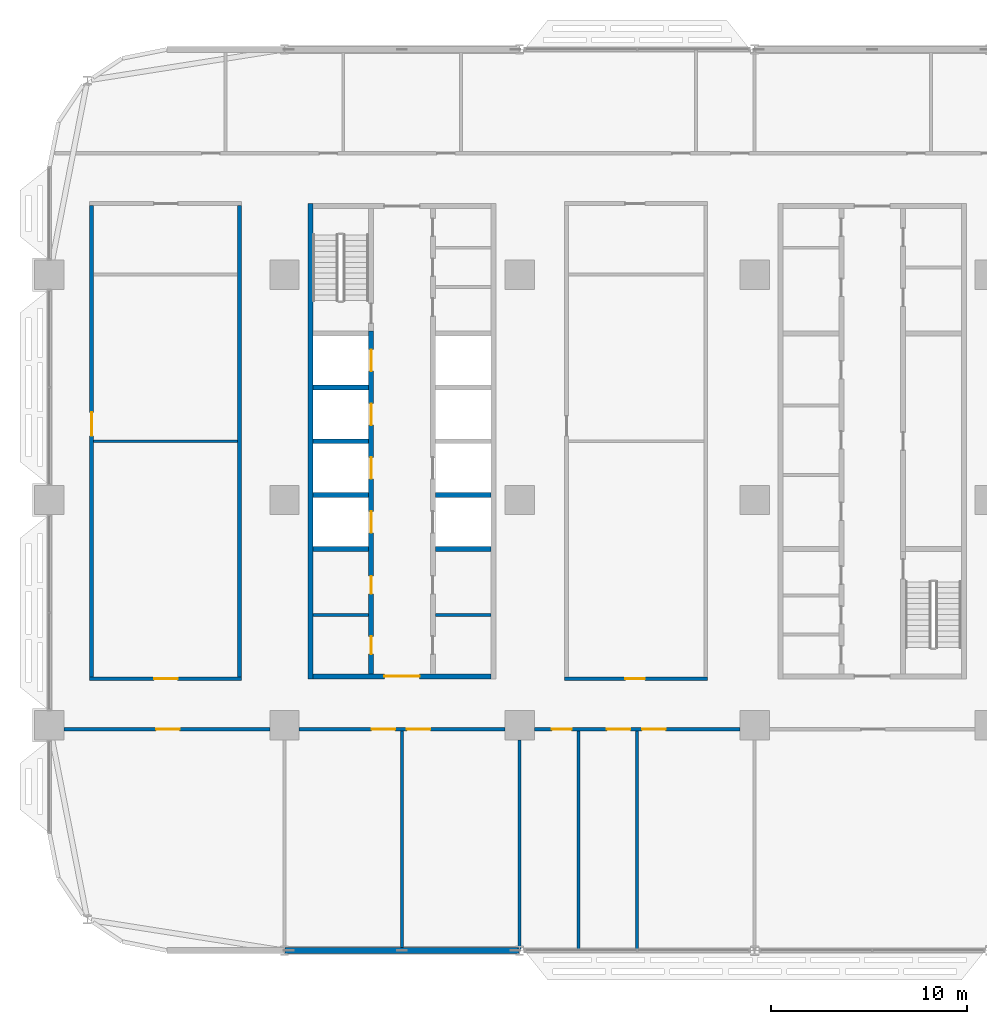
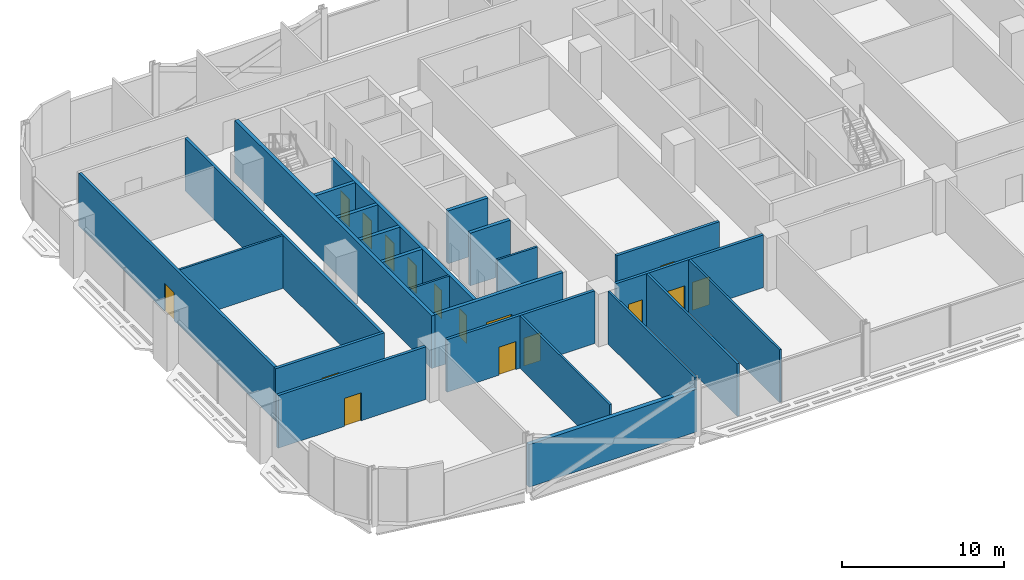
# One storey, part 12 of 30: 24 walls, 16 doors, 16 openings.
"""IFC4 building model written with IfcOpenShell, lengths in metres."""

from ifc_helpers import new_model, si_unit, direction, frame, frame_2d, origin, place, context, subcontext, project, spatial, rectangle, extrude, material, layer, layer_set, type_object, element, fill, save


model = new_model("IFC4")

# Units and contexts
model_context = context("Model", 3, precision=1e-05, world=origin(), true_north=direction((0.0, 1.0)))
body_context = subcontext(model_context, "Body", "Model", "MODEL_VIEW")
ifc_project = project(units=[si_unit("LENGTHUNIT", "METRE"), si_unit("AREAUNIT", "SQUARE_METRE"), si_unit("VOLUMEUNIT", "CUBIC_METRE"), si_unit("PLANEANGLEUNIT", "RADIAN"), si_unit("MASSUNIT", "GRAM", prefix="KILO")], contexts=[model_context])

# Site, building, storey
site_placement = place(None, origin())
site = spatial("IfcSite", under=ifc_project, at=site_placement, CompositionType="ELEMENT")
building_placement = place(site_placement, origin())
building = spatial("IfcBuilding", under=site, at=building_placement, Name="Mahtab Terrace Research Tower", CompositionType="ELEMENT")
storey_placement = place(building_placement, frame((0.0, 0.0, 50.300048828125)))
storey = spatial("IfcBuildingStorey", under=building, at=storey_placement, Name="L11", CompositionType="ELEMENT", Elevation=50.300048828125)

# Walls
ifc_material_1 = material(Name="Gypsum board partition")
ifc_layer_1 = layer(ifc_material_1, 0.14990234375)
ifc_layer_set_1 = layer_set([ifc_layer_1], Name="Core partition 150")
wall_type_1 = type_object("IfcWallType", Name="Core partition 150", PredefinedType="PARTITIONING", material=ifc_layer_set_1)
for number, where, z_axis, x_axis, name in (
    (1, (-28.550048828125, -5.875, 0.0), (0.0, 0.0, 1.0), (1.0, 0.0, 0.0), "Core wall A pWS-888"),
    (2, (-22.300048828125, -5.875, 0.0), (0.0, 0.0, 1.0), (1.0, 0.0, 0.0), "Core wall A pES-888"),
):
    element("IfcWall", number, at=place(storey_placement, frame(where, z_axis=z_axis, x_axis=x_axis)), inside=storey, type_object=wall_type_1, Name=name, PredefinedType="PARTITIONING", context=body_context, shape_type="SweptSolid", body=[
        extrude(rectangle(XDim=2.85009765625, YDim=0.14990234375, at=frame_2d((1.425048828125, 0.0))), origin(), (0.0, 0.0, 1.0), 3.9599609375),
    ])
ifc_material_2 = material(Name="Concrete C70/85", Category="concrete")
ifc_layer_2 = layer(ifc_material_2, 0.25)
ifc_layer_set_2 = layer_set([ifc_layer_2], Name="Core wall 250")
wall_type_2 = type_object("IfcWallType", Name="Core wall 250", PredefinedType="SOLIDWALL", material=ifc_layer_set_2)
wall_1_placement = place(storey_placement, frame((-28.675048828125, 15.125, 0.0), z_axis=(0.0, 0.0, 1.0), x_axis=(0.0, -1.0, 0.0)))
element("IfcWall", 3, at=wall_1_placement, inside=storey, type_object=wall_type_2, Name="Core wall A outerW", PredefinedType="SOLIDWALL", context=body_context, shape_type="SweptSolid", body=[
    extrude(rectangle(XDim=24.25, YDim=0.25, at=frame_2d((12.125, 0.0))), origin(), (0.0, 0.0, 1.0), 3.9599609375),
])

# Wall, opening, door
wall_2_placement = place(storey_placement, frame((-19.449951171875, -9.0, 0.0), z_axis=(0.0, 0.0, 1.0), x_axis=(-1.0, 0.0, 0.0)))
wall_2 = element("IfcWall", 4, at=wall_2_placement, inside=storey, type_object=wall_type_2, Name="Core wall A endS", PredefinedType="SOLIDWALL", context=body_context, shape_type="SweptSolid", body=[
    extrude(rectangle(XDim=9.10009765625, YDim=0.25, at=frame_2d((4.550048828125, 0.0))), origin(), (0.0, 0.0, 1.0), 3.9599609375),
])
opening_1_placement = place(wall_2_placement, frame((3.64990234375, 0.0, 0.0)))
opening_1 = element("IfcOpeningElement", 5, at=opening_1_placement, cuts=wall_2, Name="Opening A-S1", PredefinedType="OPENING", context=body_context, shape_type="SweptSolid", body=[
    extrude(rectangle(XDim=1.800048828125, YDim=2.10009765625, at=frame_2d((0.89990234375, 1.050048828125))), frame((0.0, 0.135009765625, 0.0), z_axis=(0.0, -1.0, 0.0), x_axis=(1.0, 0.0, 0.0)), (0.0, 0.0, 1.0), 0.27001953125),
])
ifc_material_3 = material(Name="Steel fire door", Category="steel")
door_type_1 = type_object("IfcDoorType", Name="Lobby double door 1800x2100 1 HR", OperationType="DOUBLE_DOOR_SINGLE_SWING", PredefinedType="DOOR", material=ifc_material_3)
door_1_placement = place(opening_1_placement, origin())
door_1 = element("IfcDoor", 6, at=door_1_placement, inside=storey, type_object=door_type_1, Name="Core entrance door A S", OperationType="DOUBLE_DOOR_SINGLE_SWING", OverallHeight=2.10009765625, OverallWidth=1.800048828125, PredefinedType="DOOR", context=body_context, shape_type="SweptSolid", body=[
    extrude(rectangle(XDim=1.800048828125, YDim=2.10009765625, at=frame_2d((0.89990234375, 1.050048828125))), frame((0.0, 0.02490234375, 0.0), z_axis=(0.0, -1.0, 0.0), x_axis=(1.0, 0.0, 0.0)), (0.0, 0.0, 1.0), 0.050048828125),
])
fill(opening_1, door_1)

# Wall, openings, doors
wall_3_placement = place(storey_placement, frame((-25.574951171875, -8.875, 0.0), z_axis=(0.0, 0.0, 1.0), x_axis=(0.0, 1.0, 0.0)))
wall_3 = element("IfcWall", 7, at=wall_3_placement, inside=storey, type_object=wall_type_2, Name="Core wall A innerWSL", PredefinedType="SOLIDWALL", context=body_context, shape_type="SweptSolid", body=[
    extrude(rectangle(XDim=17.5, YDim=0.25, at=frame_2d((8.75, 0.0))), origin(), (0.0, 0.0, 1.0), 3.9599609375),
])
opening_2_placement = place(wall_3_placement, frame((7.199951171875, 0.0, 0.0)))
opening_2 = element("IfcOpeningElement", 8, at=opening_2_placement, cuts=wall_3, Name="Opening LD01-L11", PredefinedType="OPENING", context=body_context, shape_type="SweptSolid", body=[
    extrude(rectangle(XDim=1.10009765625, YDim=2.10009765625, at=frame_2d((0.550048828125, 1.050048828125))), frame((0.0, 0.135009765625, 0.0), z_axis=(0.0, -1.0, 0.0), x_axis=(1.0, 0.0, 0.0)), (0.0, 0.0, 1.0), 0.27001953125),
])
opening_3_placement = place(wall_3_placement, frame((9.949951171875, 0.0, 0.0)))
opening_3 = element("IfcOpeningElement", 9, at=opening_3_placement, cuts=wall_3, Name="Opening LD02-L11", PredefinedType="OPENING", context=body_context, shape_type="SweptSolid", body=[
    extrude(rectangle(XDim=1.10009765625, YDim=2.10009765625, at=frame_2d((0.550048828125, 1.050048828125))), frame((0.0, 0.135009765625, 0.0), z_axis=(0.0, -1.0, 0.0), x_axis=(1.0, 0.0, 0.0)), (0.0, 0.0, 1.0), 0.27001953125),
])
opening_4_placement = place(wall_3_placement, frame((12.699951171875, 0.0, 0.0)))
opening_4 = element("IfcOpeningElement", 10, at=opening_4_placement, cuts=wall_3, Name="Opening LD03-L11", PredefinedType="OPENING", context=body_context, shape_type="SweptSolid", body=[
    extrude(rectangle(XDim=1.10009765625, YDim=2.10009765625, at=frame_2d((0.550048828125, 1.050048828125))), frame((0.0, 0.135009765625, 0.0), z_axis=(0.0, -1.0, 0.0), x_axis=(1.0, 0.0, 0.0)), (0.0, 0.0, 1.0), 0.27001953125),
])
opening_5_placement = place(wall_3_placement, frame((15.449951171875, 0.0, 0.0)))
opening_5 = element("IfcOpeningElement", 11, at=opening_5_placement, cuts=wall_3, Name="Opening LD04-L11", PredefinedType="OPENING", context=body_context, shape_type="SweptSolid", body=[
    extrude(rectangle(XDim=1.10009765625, YDim=2.10009765625, at=frame_2d((0.550048828125, 1.050048828125))), frame((0.0, 0.135009765625, 0.0), z_axis=(0.0, -1.0, 0.0), x_axis=(1.0, 0.0, 0.0)), (0.0, 0.0, 1.0), 0.27001953125),
])
opening_6_placement = place(wall_3_placement, frame((1.012451171875, 0.0, 0.0)))
opening_6 = element("IfcOpeningElement", 12, at=opening_6_placement, cuts=wall_3, Name="Opening A-R1", PredefinedType="OPENING", context=body_context, shape_type="SweptSolid", body=[
    extrude(rectangle(XDim=0.89990234375, YDim=2.10009765625, at=frame_2d((0.449951171875, 1.050048828125))), frame((0.0, 0.135009765625, 0.0), z_axis=(0.0, -1.0, 0.0), x_axis=(1.0, 0.0, 0.0)), (0.0, 0.0, 1.0), 0.27001953125),
])
opening_7_placement = place(wall_3_placement, frame((4.08740234375, 0.0, 0.0)))
opening_7 = element("IfcOpeningElement", 13, at=opening_7_placement, cuts=wall_3, Name="Opening A-R2", PredefinedType="OPENING", context=body_context, shape_type="SweptSolid", body=[
    extrude(rectangle(XDim=0.89990234375, YDim=2.10009765625, at=frame_2d((0.449951171875, 1.050048828125))), frame((0.0, 0.135009765625, 0.0), z_axis=(0.0, -1.0, 0.0), x_axis=(1.0, 0.0, 0.0)), (0.0, 0.0, 1.0), 0.27001953125),
])
ifc_material_4 = material(Name="Stainless steel AISI 304", Category="steel")
door_type_2 = type_object("IfcDoorType", Name="Landing door 1100x2100", OperationType="DOUBLE_DOOR_SLIDING", PredefinedType="DOOR", material=ifc_material_4)
door_2_placement = place(opening_2_placement, origin())
door_2 = element("IfcDoor", 14, at=door_2_placement, inside=storey, type_object=door_type_2, Name="Landing door LR1 L11", OperationType="DOUBLE_DOOR_SLIDING", OverallHeight=2.10009765625, OverallWidth=1.10009765625, PredefinedType="DOOR", context=body_context, shape_type="SweptSolid", body=[
    extrude(rectangle(XDim=1.10009765625, YDim=2.10009765625, at=frame_2d((0.550048828125, 1.050048828125))), frame((0.0, 0.02490234375, 0.0), z_axis=(0.0, -1.0, 0.0), x_axis=(1.0, 0.0, 0.0)), (0.0, 0.0, 1.0), 0.050048828125),
])
fill(opening_2, door_2)
door_3_placement = place(opening_3_placement, origin())
door_3 = element("IfcDoor", 15, at=door_3_placement, inside=storey, type_object=door_type_2, Name="Landing door LR2 L11", OperationType="DOUBLE_DOOR_SLIDING", OverallHeight=2.10009765625, OverallWidth=1.10009765625, PredefinedType="DOOR", context=body_context, shape_type="SweptSolid", body=[
    extrude(rectangle(XDim=1.10009765625, YDim=2.10009765625, at=frame_2d((0.550048828125, 1.050048828125))), frame((0.0, 0.02490234375, 0.0), z_axis=(0.0, -1.0, 0.0), x_axis=(1.0, 0.0, 0.0)), (0.0, 0.0, 1.0), 0.050048828125),
])
fill(opening_3, door_3)
door_4_placement = place(opening_4_placement, origin())
door_4 = element("IfcDoor", 16, at=door_4_placement, inside=storey, type_object=door_type_2, Name="Landing door LR3 L11", OperationType="DOUBLE_DOOR_SLIDING", OverallHeight=2.10009765625, OverallWidth=1.10009765625, PredefinedType="DOOR", context=body_context, shape_type="SweptSolid", body=[
    extrude(rectangle(XDim=1.10009765625, YDim=2.10009765625, at=frame_2d((0.550048828125, 1.050048828125))), frame((0.0, 0.02490234375, 0.0), z_axis=(0.0, -1.0, 0.0), x_axis=(1.0, 0.0, 0.0)), (0.0, 0.0, 1.0), 0.050048828125),
])
fill(opening_4, door_4)
door_5_placement = place(opening_5_placement, origin())
door_5 = element("IfcDoor", 17, at=door_5_placement, inside=storey, type_object=door_type_2, Name="Landing door LR4 L11", OperationType="DOUBLE_DOOR_SLIDING", OverallHeight=2.10009765625, OverallWidth=1.10009765625, PredefinedType="DOOR", context=body_context, shape_type="SweptSolid", body=[
    extrude(rectangle(XDim=1.10009765625, YDim=2.10009765625, at=frame_2d((0.550048828125, 1.050048828125))), frame((0.0, 0.02490234375, 0.0), z_axis=(0.0, -1.0, 0.0), x_axis=(1.0, 0.0, 0.0)), (0.0, 0.0, 1.0), 0.050048828125),
])
fill(opening_5, door_5)
door_type_3 = type_object("IfcDoorType", Name="Room door 900x2100 1 HR", OperationType="NOTDEFINED", PredefinedType="DOOR", material=ifc_material_3)
door_6_placement = place(opening_6_placement, origin())
door_6 = element("IfcDoor", 18, at=door_6_placement, inside=storey, type_object=door_type_3, Name="Staff WC door", OperationType="SINGLE_SWING_LEFT", OverallHeight=2.10009765625, OverallWidth=0.89990234375, PredefinedType="DOOR", context=body_context, shape_type="SweptSolid", body=[
    extrude(rectangle(XDim=0.89990234375, YDim=2.10009765625, at=frame_2d((0.449951171875, 1.050048828125))), frame((0.0, 0.02490234375, 0.0), z_axis=(0.0, -1.0, 0.0), x_axis=(1.0, 0.0, 0.0)), (0.0, 0.0, 1.0), 0.050048828125),
])
fill(opening_6, door_6)
door_7_placement = place(opening_7_placement, origin())
door_7 = element("IfcDoor", 19, at=door_7_placement, inside=storey, type_object=door_type_3, Name="Accessible WC door", OperationType="SINGLE_SWING_RIGHT", OverallHeight=2.10009765625, OverallWidth=0.89990234375, PredefinedType="DOOR", context=body_context, shape_type="SweptSolid", body=[
    extrude(rectangle(XDim=0.89990234375, YDim=2.10009765625, at=frame_2d((0.449951171875, 1.050048828125))), frame((0.0, 0.02490234375, 0.0), z_axis=(0.0, -1.0, 0.0), x_axis=(1.0, 0.0, 0.0)), (0.0, 0.0, 1.0), 0.050048828125),
])
fill(opening_7, door_7)

# Walls
for number, where, z_axis, x_axis, name in (
    (20, (-28.550048828125, -2.5, 0.0), (0.0, 0.0, 1.0), (1.0, 0.0, 0.0), "Core wall A divW0"),
    (21, (-28.550048828125, 0.25, 0.0), (0.0, 0.0, 1.0), (1.0, 0.0, 0.0), "Core wall A divW1"),
    (22, (-28.550048828125, 3.0, 0.0), (0.0, 0.0, 1.0), (1.0, 0.0, 0.0), "Core wall A divW2"),
    (23, (-28.550048828125, 5.75, 0.0), (0.0, 0.0, 1.0), (1.0, 0.0, 0.0), "Core wall A divW3"),
    (24, (-22.300048828125, -2.5, 0.0), (0.0, 0.0, 1.0), (1.0, 0.0, 0.0), "Core wall A divE0"),
    (25, (-22.300048828125, 0.25, 0.0), (0.0, 0.0, 1.0), (1.0, 0.0, 0.0), "Core wall A divE1"),
):
    element("IfcWall", number, at=place(storey_placement, frame(where, z_axis=z_axis, x_axis=x_axis)), inside=storey, type_object=wall_type_2, Name=name, PredefinedType="SOLIDWALL", context=body_context, shape_type="SweptSolid", body=[
        extrude(rectangle(XDim=2.85009765625, YDim=0.25, at=frame_2d((1.425048828125, 0.0))), origin(), (0.0, 0.0, 1.0), 3.9599609375),
    ])
ifc_material_5 = material(Name="Black aluminium cladding panel", Category="aluminium")
ifc_layer_3 = layer(ifc_material_5, 0.300048828125)
ifc_layer_set_3 = layer_set([ifc_layer_3], Name="Opaque facade wall 300")
wall_type_3 = type_object("IfcWallType", Name="Opaque facade wall 300", PredefinedType="NOTDEFINED", material=ifc_layer_set_3)
wall_4_placement = place(storey_placement, frame((-29.97607421875, -23.0, 0.0), z_axis=(0.0, 0.0, 1.0), x_axis=(1.0, 0.0, 0.0)))
element("IfcWall", 26, at=wall_4_placement, inside=storey, type_object=wall_type_3, Name="Opaque facade wall L11 S24", PredefinedType="NOTDEFINED", context=body_context, shape_type="SweptSolid", body=[
    extrude(rectangle(XDim=11.9521484375, YDim=0.300048828125, at=frame_2d((5.97607421875, 0.0))), origin(), (0.0, 0.0, 1.0), 3.203125),
])

# Wall, opening, door
ifc_material_6 = material(Name="Gypsum board corridor wall on steel studs", Category="steel")
ifc_layer_4 = layer(ifc_material_6, 0.199951171875)
ifc_layer_set_4 = layer_set([ifc_layer_4], Name="WALL CORRIDOR 200")
wall_type_4 = type_object("IfcWallType", Name="WALL CORRIDOR 200", PredefinedType="PARTITIONING", material=ifc_layer_set_4)
wall_5_placement = place(storey_placement, frame((-41.25, -11.699951171875, 0.0), z_axis=(0.0, 0.0, 1.0), x_axis=(1.0, 0.0, 0.0)))
wall_5 = element("IfcWall", 27, at=wall_5_placement, inside=storey, type_object=wall_type_4, Name="L11-W001", PredefinedType="PARTITIONING", context=body_context, shape_type="SweptSolid", body=[
    extrude(rectangle(XDim=10.5, YDim=0.199951171875, at=frame_2d((5.25, 0.0))), origin(), (0.0, 0.0, 1.0), 3.9599609375),
])
opening_8_placement = place(wall_5_placement, frame((4.699951171875, 0.0, 0.0)))
opening_8 = element("IfcOpeningElement", 28, at=opening_8_placement, cuts=wall_5, Name="Opening L11-101", PredefinedType="OPENING", context=body_context, shape_type="SweptSolid", body=[
    extrude(rectangle(XDim=1.199951171875, YDim=2.10009765625, at=frame_2d((0.60009765625, 1.050048828125))), frame((0.0, 0.10986328125, 0.0), z_axis=(0.0, -1.0, 0.0), x_axis=(1.0, 0.0, 0.0)), (0.0, 0.0, 1.0), 0.219970703125),
])
ifc_material_7 = material(Name="Timber door leaf in steel frame", Category="steel")
door_type_4 = type_object("IfcDoorType", Name="DOOR 1200X2100 FD30S", OperationType="SINGLE_SWING_LEFT", PredefinedType="DOOR", material=ifc_material_7)
door_8_placement = place(opening_8_placement, origin())
door_8 = element("IfcDoor", 29, at=door_8_placement, inside=storey, type_object=door_type_4, Name="Door L11-101", OperationType="SINGLE_SWING_LEFT", OverallHeight=2.10009765625, OverallWidth=1.199951171875, PredefinedType="DOOR", context=body_context, shape_type="SweptSolid", body=[
    extrude(rectangle(XDim=1.199951171875, YDim=2.10009765625, at=frame_2d((0.60009765625, 1.050048828125))), frame((0.0, 0.02490234375, 0.0), z_axis=(0.0, -1.0, 0.0), x_axis=(1.0, 0.0, 0.0)), (0.0, 0.0, 1.0), 0.050048828125),
])
fill(opening_8, door_8)

# Wall, openings, doors
wall_6_placement = place(storey_placement, frame((-29.25, -11.699951171875, 0.0), z_axis=(0.0, 0.0, 1.0), x_axis=(1.0, 0.0, 0.0)))
wall_6 = element("IfcWall", 30, at=wall_6_placement, inside=storey, type_object=wall_type_4, Name="L11-W002", PredefinedType="PARTITIONING", context=body_context, shape_type="SweptSolid", body=[
    extrude(rectangle(XDim=10.5, YDim=0.199951171875, at=frame_2d((5.25, 0.0))), origin(), (0.0, 0.0, 1.0), 3.9599609375),
])
opening_9_placement = place(wall_6_placement, frame((3.699951171875, 0.0, 0.0)))
opening_9 = element("IfcOpeningElement", 31, at=opening_9_placement, cuts=wall_6, Name="Opening L11-102", PredefinedType="OPENING", context=body_context, shape_type="SweptSolid", body=[
    extrude(rectangle(XDim=1.199951171875, YDim=2.10009765625, at=frame_2d((0.60009765625, 1.050048828125))), frame((0.0, 0.10986328125, 0.0), z_axis=(0.0, -1.0, 0.0), x_axis=(1.0, 0.0, 0.0)), (0.0, 0.0, 1.0), 0.219970703125),
])
opening_10_placement = place(wall_6_placement, frame((5.5, 0.0, 0.0)))
opening_10 = element("IfcOpeningElement", 32, at=opening_10_placement, cuts=wall_6, Name="Opening L11-103", PredefinedType="OPENING", context=body_context, shape_type="SweptSolid", body=[
    extrude(rectangle(XDim=1.199951171875, YDim=2.10009765625, at=frame_2d((0.60009765625, 1.050048828125))), frame((0.0, 0.10986328125, 0.0), z_axis=(0.0, -1.0, 0.0), x_axis=(1.0, 0.0, 0.0)), (0.0, 0.0, 1.0), 0.219970703125),
])
door_9_placement = place(opening_9_placement, origin())
door_9 = element("IfcDoor", 33, at=door_9_placement, inside=storey, type_object=door_type_4, Name="Door L11-102", OperationType="SINGLE_SWING_RIGHT", OverallHeight=2.10009765625, OverallWidth=1.199951171875, PredefinedType="DOOR", context=body_context, shape_type="SweptSolid", body=[
    extrude(rectangle(XDim=1.199951171875, YDim=2.10009765625, at=frame_2d((0.60009765625, 1.050048828125))), frame((0.0, 0.02490234375, 0.0), z_axis=(0.0, -1.0, 0.0), x_axis=(1.0, 0.0, 0.0)), (0.0, 0.0, 1.0), 0.050048828125),
])
fill(opening_9, door_9)
door_10_placement = place(opening_10_placement, origin())
door_10 = element("IfcDoor", 34, at=door_10_placement, inside=storey, type_object=door_type_4, Name="Door L11-103", OperationType="SINGLE_SWING_LEFT", OverallHeight=2.10009765625, OverallWidth=1.199951171875, PredefinedType="DOOR", context=body_context, shape_type="SweptSolid", body=[
    extrude(rectangle(XDim=1.199951171875, YDim=2.10009765625, at=frame_2d((0.60009765625, 1.050048828125))), frame((0.0, 0.02490234375, 0.0), z_axis=(0.0, -1.0, 0.0), x_axis=(1.0, 0.0, 0.0)), (0.0, 0.0, 1.0), 0.050048828125),
])
fill(opening_10, door_10)

wall_7_placement = place(storey_placement, frame((-17.25, -11.699951171875, 0.0), z_axis=(0.0, 0.0, 1.0), x_axis=(1.0, 0.0, 0.0)))
wall_7 = element("IfcWall", 35, at=wall_7_placement, inside=storey, type_object=wall_type_4, Name="L11-W003", PredefinedType="PARTITIONING", context=body_context, shape_type="SweptSolid", body=[
    extrude(rectangle(XDim=10.5, YDim=0.199951171875, at=frame_2d((5.25, 0.0))), origin(), (0.0, 0.0, 1.0), 3.9599609375),
])
opening_11_placement = place(wall_7_placement, frame((0.89990234375, 0.0, 0.0)))
opening_11 = element("IfcOpeningElement", 36, at=opening_11_placement, cuts=wall_7, Name="Opening L11-104", PredefinedType="OPENING", context=body_context, shape_type="SweptSolid", body=[
    extrude(rectangle(XDim=1.0, YDim=2.10009765625, at=frame_2d((0.5, 1.050048828125))), frame((0.0, 0.10986328125, 0.0), z_axis=(0.0, -1.0, 0.0), x_axis=(1.0, 0.0, 0.0)), (0.0, 0.0, 1.0), 0.219970703125),
])
opening_12_placement = place(wall_7_placement, frame((3.699951171875, 0.0, 0.0)))
opening_12 = element("IfcOpeningElement", 37, at=opening_12_placement, cuts=wall_7, Name="Opening L11-105", PredefinedType="OPENING", context=body_context, shape_type="SweptSolid", body=[
    extrude(rectangle(XDim=1.199951171875, YDim=2.10009765625, at=frame_2d((0.60009765625, 1.050048828125))), frame((0.0, 0.10986328125, 0.0), z_axis=(0.0, -1.0, 0.0), x_axis=(1.0, 0.0, 0.0)), (0.0, 0.0, 1.0), 0.219970703125),
])
opening_13_placement = place(wall_7_placement, frame((5.5, 0.0, 0.0)))
opening_13 = element("IfcOpeningElement", 38, at=opening_13_placement, cuts=wall_7, Name="Opening L11-106", PredefinedType="OPENING", context=body_context, shape_type="SweptSolid", body=[
    extrude(rectangle(XDim=1.199951171875, YDim=2.10009765625, at=frame_2d((0.60009765625, 1.050048828125))), frame((0.0, 0.10986328125, 0.0), z_axis=(0.0, -1.0, 0.0), x_axis=(1.0, 0.0, 0.0)), (0.0, 0.0, 1.0), 0.219970703125),
])
door_type_5 = type_object("IfcDoorType", Name="DOOR 1000X2100 FD30S", OperationType="SINGLE_SWING_LEFT", PredefinedType="DOOR", material=ifc_material_7)
door_11_placement = place(opening_11_placement, origin())
door_11 = element("IfcDoor", 39, at=door_11_placement, inside=storey, type_object=door_type_5, Name="Door L11-104", OperationType="SINGLE_SWING_RIGHT", OverallHeight=2.10009765625, OverallWidth=1.0, PredefinedType="DOOR", context=body_context, shape_type="SweptSolid", body=[
    extrude(rectangle(XDim=1.0, YDim=2.10009765625, at=frame_2d((0.5, 1.050048828125))), frame((0.0, 0.02490234375, 0.0), z_axis=(0.0, -1.0, 0.0), x_axis=(1.0, 0.0, 0.0)), (0.0, 0.0, 1.0), 0.050048828125),
])
fill(opening_11, door_11)
door_12_placement = place(opening_12_placement, origin())
door_12 = element("IfcDoor", 40, at=door_12_placement, inside=storey, type_object=door_type_4, Name="Door L11-105", OperationType="SINGLE_SWING_RIGHT", OverallHeight=2.10009765625, OverallWidth=1.199951171875, PredefinedType="DOOR", context=body_context, shape_type="SweptSolid", body=[
    extrude(rectangle(XDim=1.199951171875, YDim=2.10009765625, at=frame_2d((0.60009765625, 1.050048828125))), frame((0.0, 0.02490234375, 0.0), z_axis=(0.0, -1.0, 0.0), x_axis=(1.0, 0.0, 0.0)), (0.0, 0.0, 1.0), 0.050048828125),
])
fill(opening_12, door_12)
door_13_placement = place(opening_13_placement, origin())
door_13 = element("IfcDoor", 41, at=door_13_placement, inside=storey, type_object=door_type_4, Name="Door L11-106", OperationType="SINGLE_SWING_LEFT", OverallHeight=2.10009765625, OverallWidth=1.199951171875, PredefinedType="DOOR", context=body_context, shape_type="SweptSolid", body=[
    extrude(rectangle(XDim=1.199951171875, YDim=2.10009765625, at=frame_2d((0.60009765625, 1.050048828125))), frame((0.0, 0.02490234375, 0.0), z_axis=(0.0, -1.0, 0.0), x_axis=(1.0, 0.0, 0.0)), (0.0, 0.0, 1.0), 0.050048828125),
])
fill(opening_13, door_13)

# Wall, opening, door
wall_8_placement = place(storey_placement, frame((-39.949951171875, -9.125, 0.0), z_axis=(0.0, 0.0, 1.0), x_axis=(1.0, 0.0, 0.0)))
wall_8 = element("IfcWall", 42, at=wall_8_placement, inside=storey, type_object=wall_type_4, Name="L11-W009", PredefinedType="PARTITIONING", context=body_context, shape_type="SweptSolid", body=[
    extrude(rectangle(XDim=7.75, YDim=0.199951171875, at=frame_2d((3.875, 0.0))), origin(), (0.0, 0.0, 1.0), 3.9599609375),
])
opening_14_placement = place(wall_8_placement, frame((3.300048828125, 0.0, 0.0)))
opening_14 = element("IfcOpeningElement", 43, at=opening_14_placement, cuts=wall_8, Name="Opening L11-116", PredefinedType="OPENING", context=body_context, shape_type="SweptSolid", body=[
    extrude(rectangle(XDim=1.199951171875, YDim=2.10009765625, at=frame_2d((0.60009765625, 1.050048828125))), frame((0.0, 0.10986328125, 0.0), z_axis=(0.0, -1.0, 0.0), x_axis=(1.0, 0.0, 0.0)), (0.0, 0.0, 1.0), 0.219970703125),
])
door_14_placement = place(opening_14_placement, origin())
door_14 = element("IfcDoor", 44, at=door_14_placement, inside=storey, type_object=door_type_4, Name="Door L11-116", OperationType="SINGLE_SWING_RIGHT", OverallHeight=2.10009765625, OverallWidth=1.199951171875, PredefinedType="DOOR", context=body_context, shape_type="SweptSolid", body=[
    extrude(rectangle(XDim=1.199951171875, YDim=2.10009765625, at=frame_2d((0.60009765625, 1.050048828125))), frame((0.0, 0.02490234375, 0.0), z_axis=(0.0, -1.0, 0.0), x_axis=(1.0, 0.0, 0.0)), (0.0, 0.0, 1.0), 0.050048828125),
])
fill(opening_14, door_14)

wall_9_placement = place(storey_placement, frame((-15.699951171875, -9.125, 0.0), z_axis=(0.0, 0.0, 1.0), x_axis=(1.0, 0.0, 0.0)))
wall_9 = element("IfcWall", 45, at=wall_9_placement, inside=storey, type_object=wall_type_4, Name="L11-W010", PredefinedType="PARTITIONING", context=body_context, shape_type="SweptSolid", body=[
    extrude(rectangle(XDim=7.300048828125, YDim=0.199951171875, at=frame_2d((3.64990234375, 0.0))), origin(), (0.0, 0.0, 1.0), 3.9599609375),
])
opening_15_placement = place(wall_9_placement, frame((3.10009765625, 0.0, 0.0)))
opening_15 = element("IfcOpeningElement", 46, at=opening_15_placement, cuts=wall_9, Name="Opening L11-117", PredefinedType="OPENING", context=body_context, shape_type="SweptSolid", body=[
    extrude(rectangle(XDim=1.0, YDim=2.10009765625, at=frame_2d((0.5, 1.050048828125))), frame((0.0, 0.10986328125, 0.0), z_axis=(0.0, -1.0, 0.0), x_axis=(1.0, 0.0, 0.0)), (0.0, 0.0, 1.0), 0.219970703125),
])
door_15_placement = place(opening_15_placement, origin())
door_15 = element("IfcDoor", 47, at=door_15_placement, inside=storey, type_object=door_type_5, Name="Door L11-117", OperationType="SINGLE_SWING_LEFT", OverallHeight=2.10009765625, OverallWidth=1.0, PredefinedType="DOOR", context=body_context, shape_type="SweptSolid", body=[
    extrude(rectangle(XDim=1.0, YDim=2.10009765625, at=frame_2d((0.5, 1.050048828125))), frame((0.0, 0.02490234375, 0.0), z_axis=(0.0, -1.0, 0.0), x_axis=(1.0, 0.0, 0.0)), (0.0, 0.0, 1.0), 0.050048828125),
])
fill(opening_15, door_15)

wall_10_placement = place(storey_placement, frame((-39.85009765625, -9.02490234375, 0.0), z_axis=(0.0, 0.0, 1.0), x_axis=(0.0, 1.0, 0.0)))
wall_10 = element("IfcWall", 48, at=wall_10_placement, inside=storey, type_object=wall_type_4, Name="L11-W027", PredefinedType="PARTITIONING", context=body_context, shape_type="SweptSolid", body=[
    extrude(rectangle(XDim=24.0498046875, YDim=0.199951171875, at=frame_2d((12.02490234375, 0.0))), origin(), (0.0, 0.0, 1.0), 3.9599609375),
])
opening_16_placement = place(wall_10_placement, frame((12.300048828125, 0.0, 0.0)))
opening_16 = element("IfcOpeningElement", 49, at=opening_16_placement, cuts=wall_10, Name="Opening L11-121", PredefinedType="OPENING", context=body_context, shape_type="SweptSolid", body=[
    extrude(rectangle(XDim=1.199951171875, YDim=2.10009765625, at=frame_2d((0.60009765625, 1.050048828125))), frame((0.0, 0.10986328125, 0.0), z_axis=(0.0, -1.0, 0.0), x_axis=(1.0, 0.0, 0.0)), (0.0, 0.0, 1.0), 0.219970703125),
])
door_16_placement = place(opening_16_placement, origin())
door_16 = element("IfcDoor", 50, at=door_16_placement, inside=storey, type_object=door_type_4, Name="Door L11-121", OperationType="SINGLE_SWING_LEFT", OverallHeight=2.10009765625, OverallWidth=1.199951171875, PredefinedType="DOOR", context=body_context, shape_type="SweptSolid", body=[
    extrude(rectangle(XDim=1.199951171875, YDim=2.10009765625, at=frame_2d((0.60009765625, 1.050048828125))), frame((0.0, 0.02490234375, 0.0), z_axis=(0.0, -1.0, 0.0), x_axis=(1.0, 0.0, 0.0)), (0.0, 0.0, 1.0), 0.050048828125),
])
fill(opening_16, door_16)

# Walls
wall_11_placement = place(storey_placement, frame((-32.300048828125, -9.02490234375, 0.0), z_axis=(0.0, 0.0, 1.0), x_axis=(0.0, 1.0, 0.0)))
element("IfcWall", 51, at=wall_11_placement, inside=storey, type_object=wall_type_4, Name="L11-W029", PredefinedType="PARTITIONING", context=body_context, shape_type="SweptSolid", body=[
    extrude(rectangle(XDim=24.0498046875, YDim=0.199951171875, at=frame_2d((12.02490234375, 0.0))), origin(), (0.0, 0.0, 1.0), 3.9599609375),
])
ifc_material_8 = material(Name="Gypsum board partition on steel studs", Category="steel")
ifc_layer_5 = layer(ifc_material_8, 0.14990234375)
ifc_layer_set_5 = layer_set([ifc_layer_5], Name="WALL PARTITION 150")
wall_type_5 = type_object("IfcWallType", Name="WALL PARTITION 150", PredefinedType="PARTITIONING", material=ifc_layer_set_5)
wall_12_placement = place(storey_placement, frame((-39.75, 3.0, 0.0), z_axis=(0.0, 0.0, 1.0), x_axis=(1.0, 0.0, 0.0)))
element("IfcWall", 52, at=wall_12_placement, inside=storey, type_object=wall_type_5, Name="L11-W013", PredefinedType="PARTITIONING", context=body_context, shape_type="SweptSolid", body=[
    extrude(rectangle(XDim=7.35009765625, YDim=0.14990234375, at=frame_2d((3.675048828125, 0.0))), origin(), (0.0, 0.0, 1.0), 3.9599609375),
])
wall_13_placement = place(storey_placement, frame((-24.0, -22.85009765625, 0.0), z_axis=(0.0, 0.0, 1.0), x_axis=(0.0, 1.0, 0.0)))
element("IfcWall", 53, at=wall_13_placement, inside=storey, type_object=wall_type_5, Name="L11-W032", PredefinedType="PARTITIONING", context=body_context, shape_type="SweptSolid", body=[
    extrude(rectangle(XDim=11.050048828125, YDim=0.14990234375, at=frame_2d((5.52490234375, 0.0))), origin(), (0.0, 0.0, 1.0), 3.9599609375),
])
wall_14_placement = place(storey_placement, frame((-18.0, -22.97509765625, 0.0), z_axis=(0.0, 0.0, 1.0), x_axis=(0.0, 1.0, 0.0)))
element("IfcWall", 54, at=wall_14_placement, inside=storey, type_object=wall_type_5, Name="L11-W034", PredefinedType="PARTITIONING", context=body_context, shape_type="SweptSolid", body=[
    extrude(rectangle(XDim=10.72509765625, YDim=0.14990234375, at=frame_2d((5.362548828125, 0.0))), origin(), (0.0, 0.0, 1.0), 3.9599609375),
])
for number, where, z_axis, x_axis, name in (
    (55, (-15.0, -22.97509765625, 0.0), (0.0, 0.0, 1.0), (0.0, 1.0, 0.0), "L11-W036"),
    (56, (-12.0, -22.97509765625, 0.0), (0.0, 0.0, 1.0), (0.0, 1.0, 0.0), "L11-W037"),
):
    element("IfcWall", number, at=place(storey_placement, frame(where, z_axis=z_axis, x_axis=x_axis)), inside=storey, type_object=wall_type_5, Name=name, PredefinedType="PARTITIONING", context=body_context, shape_type="SweptSolid", body=[
        extrude(rectangle(XDim=11.175048828125, YDim=0.14990234375, at=frame_2d((5.58740234375, 0.0))), origin(), (0.0, 0.0, 1.0), 3.9599609375),
    ])

save(model, "model.ifc")
